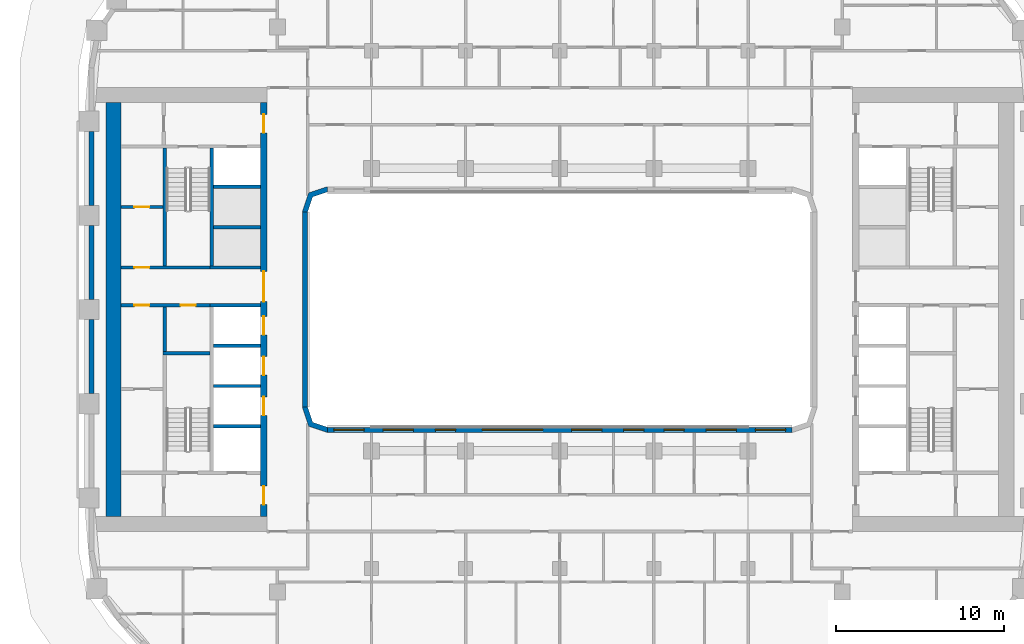
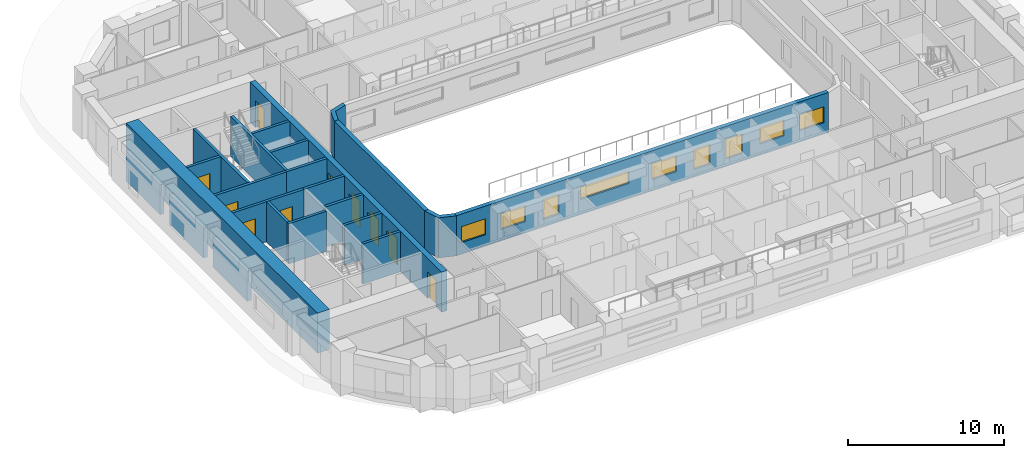
# One storey, part 5 of 18: 23 walls, 10 doors, 9 windows, 19 openings.
"""IFC4 building model written with IfcOpenShell, lengths in metres."""

from ifc_helpers import new_model, si_unit, direction, frame, frame_2d, origin, place, context, subcontext, project, spatial, polyline, rectangle, outline, extrude, material, layer, layer_set, type_object, element, fill, save


model = new_model("IFC4")

# Units and contexts
model_context = context("Model", 3, precision=1e-05, world=origin(), true_north=direction((0.0, 1.0)))
body_context = subcontext(model_context, "Body", "Model", "MODEL_VIEW")
ifc_project = project(units=[si_unit("LENGTHUNIT", "METRE"), si_unit("AREAUNIT", "SQUARE_METRE"), si_unit("VOLUMEUNIT", "CUBIC_METRE"), si_unit("PLANEANGLEUNIT", "RADIAN"), si_unit("MASSUNIT", "GRAM", prefix="KILO")], contexts=[model_context])

# Site, building, storey
site_placement = place(None, origin())
site = spatial("IfcSite", under=ifc_project, at=site_placement, CompositionType="ELEMENT")
building_placement = place(site_placement, origin())
building = spatial("IfcBuilding", under=site, at=building_placement, Name="Kiln Ring Residences", CompositionType="ELEMENT")
storey_placement = place(building_placement, frame((0.0, 0.0, 121.800048828125)))
storey = spatial("IfcBuildingStorey", under=building, at=storey_placement, Name="L31", CompositionType="ELEMENT", Elevation=121.800048828125)

# Wall
ifc_material_1 = material(Name="Gypsum board on steel studs", Category="steel")
ifc_layer_1 = layer(ifc_material_1, 0.199951171875)
ifc_layer_set_1 = layer_set([ifc_layer_1], Name="CORE-PARTITION-200")
wall_type_1 = type_object("IfcWallType", Name="CORE-PARTITION-200", PredefinedType="PARTITIONING", material=ifc_layer_set_1)
wall_1_placement = place(storey_placement, frame((-23.5, -2.5, 0.0), z_axis=(0.0, 0.0, 1.0), x_axis=(0.0, 1.0, 0.0)))
element("IfcWall", 1, at=wall_1_placement, inside=storey, type_object=wall_type_1, Name="Core partition west L31 1", PredefinedType="PARTITIONING", context=body_context, shape_type="SweptSolid", body=[
    extrude(rectangle(XDim=2.64990234375, YDim=0.199951171875, at=frame_2d((1.324951171875, 0.0))), origin(), (0.0, 0.0, 1.0), 3.14990234375),
])

# Wall, openings, doors
wall_2_placement = place(storey_placement, frame((-20.800048828125, 0.25, 0.0), z_axis=(0.0, 0.0, 1.0), x_axis=(-1.0, 0.0, 0.0)))
wall_2 = element("IfcWall", 2, at=wall_2_placement, inside=storey, type_object=wall_type_1, Name="Core partition west L31 2", PredefinedType="PARTITIONING", context=body_context, shape_type="SweptSolid", body=[
    extrude(rectangle(XDim=5.300048828125, YDim=0.199951171875, at=frame_2d((2.64990234375, 0.0))), origin(), (0.0, 0.0, 1.0), 3.14990234375),
])
opening_1_placement = place(wall_2_placement, frame((0.85009765625, 0.0, 0.0)))
opening_1 = element("IfcOpeningElement", 3, at=opening_1_placement, cuts=wall_2, Name="Opening L31-CW13", PredefinedType="OPENING", context=body_context, shape_type="SweptSolid", body=[
    extrude(rectangle(XDim=0.89990234375, YDim=2.10009765625, at=frame_2d((0.449951171875, 1.050048828125))), frame((0.0, 0.10986328125, 0.0), z_axis=(0.0, -1.0, 0.0), x_axis=(1.0, 0.0, 0.0)), (0.0, 0.0, 1.0), 0.219970703125),
])
opening_2_placement = place(wall_2_placement, frame((3.60009765625, 0.0, 0.0)))
opening_2 = element("IfcOpeningElement", 4, at=opening_2_placement, cuts=wall_2, Name="Opening L31-CW15", PredefinedType="OPENING", context=body_context, shape_type="SweptSolid", body=[
    extrude(rectangle(XDim=0.89990234375, YDim=2.10009765625, at=frame_2d((0.449951171875, 1.050048828125))), frame((0.0, 0.10986328125, 0.0), z_axis=(0.0, -1.0, 0.0), x_axis=(1.0, 0.0, 0.0)), (0.0, 0.0, 1.0), 0.219970703125),
])
ifc_material_2 = material(Name="Steel door leaf", Category="steel")
door_type_1 = type_object("IfcDoorType", Name="CORE-DOOR-ROOM", OperationType="SINGLE_SWING_LEFT", PredefinedType="DOOR", material=ifc_material_2)
door_1_placement = place(opening_1_placement, origin())
door_1 = element("IfcDoor", 5, at=door_1_placement, inside=storey, type_object=door_type_1, Name="Comms room L31-CW13", OperationType="SINGLE_SWING_LEFT", OverallHeight=2.10009765625, OverallWidth=0.89990234375, PredefinedType="DOOR", context=body_context, shape_type="SweptSolid", body=[
    extrude(rectangle(XDim=0.89990234375, YDim=2.10009765625, at=frame_2d((0.449951171875, 1.050048828125))), frame((0.0, 0.02490234375, 0.0), z_axis=(0.0, -1.0, 0.0), x_axis=(1.0, 0.0, 0.0)), (0.0, 0.0, 1.0), 0.050048828125),
])
fill(opening_1, door_1)
door_2_placement = place(opening_2_placement, origin())
door_2 = element("IfcDoor", 6, at=door_2_placement, inside=storey, type_object=door_type_1, Name="Meter room L31-CW15", OperationType="SINGLE_SWING_LEFT", OverallHeight=2.10009765625, OverallWidth=0.89990234375, PredefinedType="DOOR", context=body_context, shape_type="SweptSolid", body=[
    extrude(rectangle(XDim=0.89990234375, YDim=2.10009765625, at=frame_2d((0.449951171875, 1.050048828125))), frame((0.0, 0.02490234375, 0.0), z_axis=(0.0, -1.0, 0.0), x_axis=(1.0, 0.0, 0.0)), (0.0, 0.0, 1.0), 0.050048828125),
])
fill(opening_2, door_2)

# Wall, opening, door
wall_3_placement = place(storey_placement, frame((-23.60009765625, 6.10009765625, 0.0), z_axis=(0.0, 0.0, 1.0), x_axis=(-1.0, 0.0, 0.0)))
wall_3 = element("IfcWall", 7, at=wall_3_placement, inside=storey, type_object=wall_type_1, Name="Core partition west L31 6", PredefinedType="PARTITIONING", context=body_context, shape_type="SweptSolid", body=[
    extrude(rectangle(XDim=2.5, YDim=0.199951171875, at=frame_2d((1.25, 0.0))), origin(), (0.0, 0.0, 1.0), 3.14990234375),
])
opening_3_placement = place(wall_3_placement, frame((0.800048828125, 0.0, 0.0)))
opening_3 = element("IfcOpeningElement", 8, at=opening_3_placement, cuts=wall_3, Name="Opening L31-CW16", PredefinedType="OPENING", context=body_context, shape_type="SweptSolid", body=[
    extrude(rectangle(XDim=0.89990234375, YDim=2.10009765625, at=frame_2d((0.449951171875, 1.050048828125))), frame((0.0, 0.10986328125, 0.0), z_axis=(0.0, -1.0, 0.0), x_axis=(1.0, 0.0, 0.0)), (0.0, 0.0, 1.0), 0.219970703125),
])
door_3_placement = place(opening_3_placement, origin())
door_3 = element("IfcDoor", 9, at=door_3_placement, inside=storey, type_object=door_type_1, Name="Comms room L31-CW16", OperationType="SINGLE_SWING_LEFT", OverallHeight=2.10009765625, OverallWidth=0.89990234375, PredefinedType="DOOR", context=body_context, shape_type="SweptSolid", body=[
    extrude(rectangle(XDim=0.89990234375, YDim=2.10009765625, at=frame_2d((0.449951171875, 1.050048828125))), frame((0.0, 0.02490234375, 0.0), z_axis=(0.0, -1.0, 0.0), x_axis=(1.0, 0.0, 0.0)), (0.0, 0.0, 1.0), 0.050048828125),
])
fill(opening_3, door_3)

# Walls
ifc_material_3 = material(Name="Gypsum shaft wall system")
ifc_layer_2 = layer(ifc_material_3, 0.199951171875)
ifc_layer_set_2 = layer_set([ifc_layer_2], Name="CORE-SHAFT-WALL-200")
wall_type_2 = type_object("IfcWallType", Name="CORE-SHAFT-WALL-200", PredefinedType="PARTITIONING", material=ifc_layer_set_2)
for number, where, z_axis, x_axis, name in (
    (10, (-17.800048828125, -6.949951171875, 0.0), (0.0, 0.0, 1.0), (-1.0, 0.0, 0.0), "Core partition west L31 7"),
    (11, (-17.800048828125, -4.550048828125, 0.0), (0.0, 0.0, 1.0), (-1.0, 0.0, 0.0), "Core partition west L31 8"),
    (12, (-17.800048828125, -2.14990234375, 0.0), (0.0, 0.0, 1.0), (-1.0, 0.0, 0.0), "Core partition west L31 9"),
):
    element("IfcWall", number, at=place(storey_placement, frame(where, z_axis=z_axis, x_axis=x_axis)), inside=storey, type_object=wall_type_2, Name=name, PredefinedType="PARTITIONING", context=body_context, shape_type="SweptSolid", body=[
        extrude(rectangle(XDim=2.800048828125, YDim=0.199951171875, at=frame_2d((1.39990234375, 0.0))), origin(), (0.0, 0.0, 1.0), 3.14990234375),
    ])
for number, where, z_axis, x_axis, name in (
    (13, (-17.800048828125, 0.25, 0.0), (0.0, 0.0, 1.0), (-1.0, 0.0, 0.0), "Core partition west L31 10"),
    (14, (-17.800048828125, 2.5, 0.0), (0.0, 0.0, 1.0), (-1.0, 0.0, 0.0), "Core partition west L31 11"),
):
    element("IfcWall", number, at=place(storey_placement, frame(where, z_axis=z_axis, x_axis=x_axis)), inside=storey, type_object=wall_type_2, Name=name, PredefinedType="PARTITIONING", context=body_context, shape_type="SweptSolid", body=[
        extrude(rectangle(XDim=3.0, YDim=0.199951171875, at=frame_2d((1.5, 0.0))), origin(), (0.0, 0.0, 1.0), 3.14990234375),
    ])
for number, where, z_axis, x_axis, name in (
    (15, (-17.800048828125, 4.89990234375, 0.0), (0.0, 0.0, 1.0), (-1.0, 0.0, 0.0), "Core partition west L31 12"),
    (16, (-17.800048828125, 7.300048828125, 0.0), (0.0, 0.0, 1.0), (-1.0, 0.0, 0.0), "Core partition west L31 13"),
):
    element("IfcWall", number, at=place(storey_placement, frame(where, z_axis=z_axis, x_axis=x_axis)), inside=storey, type_object=wall_type_2, Name=name, PredefinedType="PARTITIONING", context=body_context, shape_type="SweptSolid", body=[
        extrude(rectangle(XDim=2.800048828125, YDim=0.199951171875, at=frame_2d((1.39990234375, 0.0))), origin(), (0.0, 0.0, 1.0), 3.14990234375),
    ])
ifc_material_4 = material(Name="Concrete C40/50", Category="concrete")
ifc_layer_3 = layer(ifc_material_4, 0.199951171875)
ifc_layer_set_3 = layer_set([ifc_layer_3], Name="CORE-WALL-RC200")
wall_type_3 = type_object("IfcWallType", Name="CORE-WALL-RC200", PredefinedType="SHEAR", material=ifc_layer_set_3)
wall_4_placement = place(storey_placement, frame((-20.699951171875, 2.60009765625, 0.0), z_axis=(0.0, 0.0, 1.0), x_axis=(0.0, 1.0, 0.0)))
element("IfcWall", 17, at=wall_4_placement, inside=storey, type_object=wall_type_3, Name="Core wall west L31 1", PredefinedType="SHEAR", context=body_context, shape_type="SweptSolid", body=[
    extrude(rectangle(XDim=7.0, YDim=0.199951171875, at=frame_2d((3.5, 0.0))), origin(), (0.0, 0.0, 1.0), 3.14990234375),
])

# Wall, opening, door
wall_5_placement = place(storey_placement, frame((-20.800048828125, 2.5, 0.0), z_axis=(0.0, 0.0, 1.0), x_axis=(-1.0, 0.0, 0.0)))
wall_5 = element("IfcWall", 18, at=wall_5_placement, inside=storey, type_object=wall_type_3, Name="Core wall west L31 3", PredefinedType="SHEAR", context=body_context, shape_type="SweptSolid", body=[
    extrude(rectangle(XDim=5.300048828125, YDim=0.199951171875, at=frame_2d((2.64990234375, 0.0))), origin(), (0.0, 0.0, 1.0), 3.14990234375),
])
opening_4_placement = place(wall_5_placement, frame((3.60009765625, 0.0, 0.0)))
opening_4 = element("IfcOpeningElement", 19, at=opening_4_placement, cuts=wall_5, Name="Opening L31-CW17", PredefinedType="OPENING", context=body_context, shape_type="SweptSolid", body=[
    extrude(rectangle(XDim=0.89990234375, YDim=2.10009765625, at=frame_2d((0.449951171875, 1.050048828125))), frame((0.0, 0.10986328125, 0.0), z_axis=(0.0, -1.0, 0.0), x_axis=(1.0, 0.0, 0.0)), (0.0, 0.0, 1.0), 0.219970703125),
])
door_4_placement = place(opening_4_placement, origin())
door_4 = element("IfcDoor", 20, at=door_4_placement, inside=storey, type_object=door_type_1, Name="Electrical plant room L31-CW17", OperationType="SINGLE_SWING_RIGHT", OverallHeight=2.10009765625, OverallWidth=0.89990234375, PredefinedType="DOOR", context=body_context, shape_type="SweptSolid", body=[
    extrude(rectangle(XDim=0.89990234375, YDim=2.10009765625, at=frame_2d((0.449951171875, 1.050048828125))), frame((0.0, 0.02490234375, 0.0), z_axis=(0.0, -1.0, 0.0), x_axis=(1.0, 0.0, 0.0)), (0.0, 0.0, 1.0), 0.050048828125),
])
fill(opening_4, door_4)

# Walls
wall_6_placement = place(storey_placement, frame((-23.5, 2.60009765625, 0.0), z_axis=(0.0, 0.0, 1.0), x_axis=(0.0, 1.0, 0.0)))
element("IfcWall", 21, at=wall_6_placement, inside=storey, type_object=wall_type_3, Name="Core wall west L31 10", PredefinedType="SHEAR", context=body_context, shape_type="SweptSolid", body=[
    extrude(rectangle(XDim=7.0, YDim=0.199951171875, at=frame_2d((3.5, 0.0))), origin(), (0.0, 0.0, 1.0), 3.14990234375),
])
wall_7_placement = place(storey_placement, frame((-20.800048828125, -2.60009765625, 0.0), z_axis=(0.0, 0.0, 1.0), x_axis=(-1.0, 0.0, 0.0)))
element("IfcWall", 22, at=wall_7_placement, inside=storey, type_object=wall_type_3, Name="Core wall west L31 12", PredefinedType="SHEAR", context=body_context, shape_type="SweptSolid", body=[
    extrude(rectangle(XDim=2.800048828125, YDim=0.199951171875, at=frame_2d((1.39990234375, 0.0))), origin(), (0.0, 0.0, 1.0), 3.14990234375),
])

# Wall, openings, doors
ifc_material_5 = material(Name="Concrete C60/75", Category="concrete")
ifc_layer_4 = layer(ifc_material_5, 0.39990234375)
ifc_layer_set_4 = layer_set([ifc_layer_4], Name="CORE-WALL-RC400")
wall_type_4 = type_object("IfcWallType", Name="CORE-WALL-RC400", PredefinedType="SHEAR", material=ifc_layer_set_4)
wall_8_placement = place(storey_placement, frame((-17.60009765625, -12.300048828125, 0.0), z_axis=(0.0, 0.0, 1.0), x_axis=(0.0, 1.0, 0.0)))
wall_8 = element("IfcWall", 23, at=wall_8_placement, inside=storey, type_object=wall_type_4, Name="Core wall west L31 6", PredefinedType="SHEAR", context=body_context, shape_type="SweptSolid", body=[
    extrude(rectangle(XDim=24.60009765625, YDim=0.39990234375, at=frame_2d((12.300048828125, 0.0))), origin(), (0.0, 0.0, 1.0), 3.14990234375),
])
opening_5_placement = place(wall_8_placement, frame((6.0, 0.0, 0.0)))
opening_5 = element("IfcOpeningElement", 24, at=opening_5_placement, cuts=wall_8, Name="Opening L31-CW02", PredefinedType="OPENING", context=body_context, shape_type="SweptSolid", body=[
    extrude(rectangle(XDim=1.10009765625, YDim=2.10009765625, at=frame_2d((0.550048828125, 1.050048828125))), frame((0.0, 0.2099609375, 0.0), z_axis=(0.0, -1.0, 0.0), x_axis=(1.0, 0.0, 0.0)), (0.0, 0.0, 1.0), 0.419921875),
])
opening_6_placement = place(wall_8_placement, frame((8.39990234375, 0.0, 0.0)))
opening_6 = element("IfcOpeningElement", 25, at=opening_6_placement, cuts=wall_8, Name="Opening L31-CW03", PredefinedType="OPENING", context=body_context, shape_type="SweptSolid", body=[
    extrude(rectangle(XDim=1.10009765625, YDim=2.10009765625, at=frame_2d((0.550048828125, 1.050048828125))), frame((0.0, 0.2099609375, 0.0), z_axis=(0.0, -1.0, 0.0), x_axis=(1.0, 0.0, 0.0)), (0.0, 0.0, 1.0), 0.419921875),
])
opening_7_placement = place(wall_8_placement, frame((10.800048828125, 0.0, 0.0)))
opening_7 = element("IfcOpeningElement", 26, at=opening_7_placement, cuts=wall_8, Name="Opening L31-CW04", PredefinedType="OPENING", context=body_context, shape_type="SweptSolid", body=[
    extrude(rectangle(XDim=1.10009765625, YDim=2.10009765625, at=frame_2d((0.550048828125, 1.050048828125))), frame((0.0, 0.2099609375, 0.0), z_axis=(0.0, -1.0, 0.0), x_axis=(1.0, 0.0, 0.0)), (0.0, 0.0, 1.0), 0.419921875),
])
opening_8_placement = place(wall_8_placement, frame((22.800048828125, 0.0, 0.0)))
opening_8 = element("IfcOpeningElement", 27, at=opening_8_placement, cuts=wall_8, Name="Opening L31-CW06", PredefinedType="OPENING", context=body_context, shape_type="SweptSolid", body=[
    extrude(rectangle(XDim=1.10009765625, YDim=2.10009765625, at=frame_2d((0.550048828125, 1.050048828125))), frame((0.0, 0.2099609375, 0.0), z_axis=(0.0, -1.0, 0.0), x_axis=(1.0, 0.0, 0.0)), (0.0, 0.0, 1.0), 0.419921875),
])
opening_9_placement = place(wall_8_placement, frame((0.699951171875, 0.0, 0.0)))
opening_9 = element("IfcOpeningElement", 28, at=opening_9_placement, cuts=wall_8, Name="Opening L31-CW07", PredefinedType="OPENING", context=body_context, shape_type="SweptSolid", body=[
    extrude(rectangle(XDim=1.10009765625, YDim=2.10009765625, at=frame_2d((0.550048828125, 1.050048828125))), frame((0.0, 0.2099609375, 0.0), z_axis=(0.0, -1.0, 0.0), x_axis=(1.0, 0.0, 0.0)), (0.0, 0.0, 1.0), 0.419921875),
])
opening_10_placement = place(wall_8_placement, frame((12.77490234375, 0.0, 0.0)))
opening_10 = element("IfcOpeningElement", 29, at=opening_10_placement, cuts=wall_8, Name="Opening L31-CW12", PredefinedType="OPENING", context=body_context, shape_type="SweptSolid", body=[
    extrude(rectangle(XDim=1.800048828125, YDim=2.10009765625, at=frame_2d((0.89990234375, 1.050048828125))), frame((0.0, 0.2099609375, 0.0), z_axis=(0.0, -1.0, 0.0), x_axis=(1.0, 0.0, 0.0)), (0.0, 0.0, 1.0), 0.419921875),
])
ifc_material_6 = material(Name="Steel door leaf", Category="steel")
door_type_2 = type_object("IfcDoorType", Name="CORE-DOOR-LD", OperationType="DOUBLE_DOOR_SLIDING", PredefinedType="DOOR", material=ifc_material_6)
door_5_placement = place(opening_5_placement, origin())
door_5 = element("IfcDoor", 30, at=door_5_placement, inside=storey, type_object=door_type_2, Name="LD W-L1 L31-CW02", OperationType="DOUBLE_DOOR_SLIDING", OverallHeight=2.10009765625, OverallWidth=1.10009765625, PredefinedType="DOOR", context=body_context, shape_type="SweptSolid", body=[
    extrude(rectangle(XDim=1.10009765625, YDim=2.10009765625, at=frame_2d((0.550048828125, 1.050048828125))), frame((0.0, 0.02490234375, 0.0), z_axis=(0.0, -1.0, 0.0), x_axis=(1.0, 0.0, 0.0)), (0.0, 0.0, 1.0), 0.050048828125),
])
fill(opening_5, door_5)
door_6_placement = place(opening_6_placement, origin())
door_6 = element("IfcDoor", 31, at=door_6_placement, inside=storey, type_object=door_type_2, Name="LD W-L2 L31-CW03", OperationType="DOUBLE_DOOR_SLIDING", OverallHeight=2.10009765625, OverallWidth=1.10009765625, PredefinedType="DOOR", context=body_context, shape_type="SweptSolid", body=[
    extrude(rectangle(XDim=1.10009765625, YDim=2.10009765625, at=frame_2d((0.550048828125, 1.050048828125))), frame((0.0, 0.02490234375, 0.0), z_axis=(0.0, -1.0, 0.0), x_axis=(1.0, 0.0, 0.0)), (0.0, 0.0, 1.0), 0.050048828125),
])
fill(opening_6, door_6)
door_7_placement = place(opening_7_placement, origin())
door_7 = element("IfcDoor", 32, at=door_7_placement, inside=storey, type_object=door_type_2, Name="LD W-L3 L31-CW04", OperationType="DOUBLE_DOOR_SLIDING", OverallHeight=2.10009765625, OverallWidth=1.10009765625, PredefinedType="DOOR", context=body_context, shape_type="SweptSolid", body=[
    extrude(rectangle(XDim=1.10009765625, YDim=2.10009765625, at=frame_2d((0.550048828125, 1.050048828125))), frame((0.0, 0.02490234375, 0.0), z_axis=(0.0, -1.0, 0.0), x_axis=(1.0, 0.0, 0.0)), (0.0, 0.0, 1.0), 0.050048828125),
])
fill(opening_7, door_7)
ifc_material_7 = material(Name="Steel door leaf", Category="steel")
door_type_3 = type_object("IfcDoorType", Name="CORE-DOOR-LOBBY", OperationType="SINGLE_SWING_LEFT", PredefinedType="DOOR", material=ifc_material_7)
door_8_placement = place(opening_8_placement, origin())
door_8 = element("IfcDoor", 33, at=door_8_placement, inside=storey, type_object=door_type_3, Name="FFL L31-CW06", OperationType="SINGLE_SWING_LEFT", OverallHeight=2.10009765625, OverallWidth=1.10009765625, PredefinedType="DOOR", context=body_context, shape_type="SweptSolid", body=[
    extrude(rectangle(XDim=1.10009765625, YDim=2.10009765625, at=frame_2d((0.550048828125, 1.050048828125))), frame((0.0, 0.02490234375, 0.0), z_axis=(0.0, -1.0, 0.0), x_axis=(1.0, 0.0, 0.0)), (0.0, 0.0, 1.0), 0.050048828125),
])
fill(opening_8, door_8)
door_9_placement = place(opening_9_placement, origin())
door_9 = element("IfcDoor", 34, at=door_9_placement, inside=storey, type_object=door_type_3, Name="SVL L31-CW07", OperationType="SINGLE_SWING_RIGHT", OverallHeight=2.10009765625, OverallWidth=1.10009765625, PredefinedType="DOOR", context=body_context, shape_type="SweptSolid", body=[
    extrude(rectangle(XDim=1.10009765625, YDim=2.10009765625, at=frame_2d((0.550048828125, 1.050048828125))), frame((0.0, 0.02490234375, 0.0), z_axis=(0.0, -1.0, 0.0), x_axis=(1.0, 0.0, 0.0)), (0.0, 0.0, 1.0), 0.050048828125),
])
fill(opening_9, door_9)
ifc_material_8 = material(Name="Steel door leaf", Category="steel")
door_type_4 = type_object("IfcDoorType", Name="CORE-DOOR-PASS", OperationType="DOUBLE_DOOR_SINGLE_SWING", PredefinedType="DOOR", material=ifc_material_8)
door_10_placement = place(opening_10_placement, origin())
door_10 = element("IfcDoor", 35, at=door_10_placement, inside=storey, type_object=door_type_4, Name="Core passage L31-CW12", OperationType="DOUBLE_DOOR_SINGLE_SWING", OverallHeight=2.10009765625, OverallWidth=1.800048828125, PredefinedType="DOOR", context=body_context, shape_type="SweptSolid", body=[
    extrude(rectangle(XDim=1.800048828125, YDim=2.10009765625, at=frame_2d((0.89990234375, 1.050048828125))), frame((0.0, 0.02490234375, 0.0), z_axis=(0.0, -1.0, 0.0), x_axis=(1.0, 0.0, 0.0)), (0.0, 0.0, 1.0), 0.050048828125),
])
fill(opening_10, door_10)

# Walls
ifc_material_9 = material(Name="Concrete C60/75", Category="concrete")
ifc_layer_5 = layer(ifc_material_9, 0.89990234375)
ifc_layer_set_5 = layer_set([ifc_layer_5], Name="CORE-WALL-RC900")
wall_type_5 = type_object("IfcWallType", Name="CORE-WALL-RC900", PredefinedType="SHEAR", material=ifc_layer_set_5)
wall_9_placement = place(storey_placement, frame((-26.550048828125, -12.300048828125, 0.0), z_axis=(0.0, 0.0, 1.0), x_axis=(0.0, 1.0, 0.0)))
element("IfcWall", 36, at=wall_9_placement, inside=storey, type_object=wall_type_5, Name="Core wall west L31 7", PredefinedType="SHEAR", context=body_context, shape_type="SweptSolid", body=[
    extrude(rectangle(XDim=24.60009765625, YDim=0.89990234375, at=frame_2d((12.300048828125, 0.0))), origin(), (0.0, 0.0, 1.0), 3.14990234375),
])
ifc_material_10 = material(Name="Brick masonry, dark clay brick", Category="masonry")
ifc_layer_6 = layer(ifc_material_10, 0.300048828125)
ifc_layer_set_6 = layer_set([ifc_layer_6], Name="EW-300 BRICK WALL")
wall_type_6 = type_object("IfcWallType", Name="EW-300 BRICK WALL", PredefinedType="SOLIDWALL", material=ifc_layer_set_6)
wall_10_placement = place(storey_placement, frame((-27.85009765625, 10.60009765625, 0.0), z_axis=(0.0, 0.0, 1.0), x_axis=(0.0, -1.0, 0.0)))
element("IfcWall", 37, at=wall_10_placement, inside=storey, type_object=wall_type_6, Name="Facade wall L31 42", PredefinedType="SOLIDWALL", context=body_context, shape_type="SweptSolid", body=[
    extrude(rectangle(XDim=4.400146484375, YDim=0.300048828125, at=frame_2d((2.2001953125, 0.0))), origin(), (0.0, 0.0, 1.0), 2.349853515625),
])
for number, where, z_axis, x_axis, name in (
    (38, (-27.85009765625, 5.0, 0.0), (0.0, 0.0, 1.0), (0.0, -1.0, 0.0), "Facade wall L31 43"),
    (39, (-27.85009765625, -0.60009765625, 0.0), (0.0, 0.0, 1.0), (0.0, -1.0, 0.0), "Facade wall L31 44"),
):
    element("IfcWall", number, at=place(storey_placement, frame(where, z_axis=z_axis, x_axis=x_axis)), inside=storey, type_object=wall_type_6, Name=name, PredefinedType="SOLIDWALL", context=body_context, shape_type="SweptSolid", body=[
        extrude(rectangle(XDim=4.39990234375, YDim=0.300048828125, at=frame_2d((2.199951171875, 0.0))), origin(), (0.0, 0.0, 1.0), 2.349853515625),
    ])
wall_11_placement = place(storey_placement, frame((-15.14990234375, -5.800048828125, 0.0), z_axis=(0.0, 0.0, 1.0), x_axis=(0.0, 1.0, 0.0)))
element("IfcWall", 40, at=wall_11_placement, inside=storey, type_object=wall_type_6, Name="Facade wall L31 49", PredefinedType="SOLIDWALL", context=body_context, shape_type="SweptSolid", body=[
    extrude(rectangle(XDim=11.60009765625, YDim=0.300048828125, at=frame_2d((5.800048828125, 0.0))), origin(), (0.0, 0.0, 1.0), 3.14990234375),
])

# Wall, openings, windows
wall_12_placement = place(storey_placement, frame((13.800048828125, -7.14990234375, 0.0), z_axis=(0.0, 0.0, 1.0), x_axis=(-1.0, 0.0, 0.0)))
wall_12 = element("IfcWall", 41, at=wall_12_placement, inside=storey, type_object=wall_type_6, Name="Facade wall L31 52", PredefinedType="SOLIDWALL", context=body_context, shape_type="SweptSolid", body=[
    extrude(rectangle(XDim=27.60009765625, YDim=0.300048828125, at=frame_2d((13.800048828125, 0.0))), origin(), (0.0, 0.0, 1.0), 3.14990234375),
])
opening_11_placement = place(wall_12_placement, frame((0.362548828125, 0.0, 0.89990234375)))
opening_11 = element("IfcOpeningElement", 42, at=opening_11_placement, cuts=wall_12, Name="Opening W2", PredefinedType="OPENING", context=body_context, shape_type="SweptSolid", body=[
    extrude(rectangle(XDim=1.800048828125, YDim=1.25, at=frame_2d((0.89990234375, 0.625))), frame((0.0, 0.159912109375, 0.0), z_axis=(0.0, -1.0, 0.0), x_axis=(1.0, 0.0, 0.0)), (0.0, 0.0, 1.0), 0.320068359375),
])
opening_12_placement = place(wall_12_placement, frame((3.300048828125, 0.0, 0.89990234375)))
opening_12 = element("IfcOpeningElement", 43, at=opening_12_placement, cuts=wall_12, Name="Opening W2", PredefinedType="OPENING", context=body_context, shape_type="SweptSolid", body=[
    extrude(rectangle(XDim=1.800048828125, YDim=1.25, at=frame_2d((0.89990234375, 0.625))), frame((0.0, 0.159912109375, 0.0), z_axis=(0.0, -1.0, 0.0), x_axis=(1.0, 0.0, 0.0)), (0.0, 0.0, 1.0), 0.320068359375),
])
opening_13_placement = place(wall_12_placement, frame((6.39990234375, 0.0, 0.60009765625)))
opening_13 = element("IfcOpeningElement", 44, at=opening_13_placement, cuts=wall_12, Name="Opening W1", PredefinedType="OPENING", context=body_context, shape_type="SweptSolid", body=[
    extrude(rectangle(XDim=1.199951171875, YDim=1.550048828125, at=frame_2d((0.60009765625, 0.77490234375))), frame((0.0, 0.159912109375, 0.0), z_axis=(0.0, -1.0, 0.0), x_axis=(1.0, 0.0, 0.0)), (0.0, 0.0, 1.0), 0.320068359375),
])
opening_14_placement = place(wall_12_placement, frame((8.800048828125, 0.0, 0.60009765625)))
opening_14 = element("IfcOpeningElement", 45, at=opening_14_placement, cuts=wall_12, Name="Opening W1", PredefinedType="OPENING", context=body_context, shape_type="SweptSolid", body=[
    extrude(rectangle(XDim=1.199951171875, YDim=1.550048828125, at=frame_2d((0.60009765625, 0.77490234375))), frame((0.0, 0.159912109375, 0.0), z_axis=(0.0, -1.0, 0.0), x_axis=(1.0, 0.0, 0.0)), (0.0, 0.0, 1.0), 0.320068359375),
])
opening_15_placement = place(wall_12_placement, frame((11.300048828125, 0.0, 0.89990234375)))
opening_15 = element("IfcOpeningElement", 46, at=opening_15_placement, cuts=wall_12, Name="Opening W2", PredefinedType="OPENING", context=body_context, shape_type="SweptSolid", body=[
    extrude(rectangle(XDim=1.800048828125, YDim=1.25, at=frame_2d((0.89990234375, 0.625))), frame((0.0, 0.159912109375, 0.0), z_axis=(0.0, -1.0, 0.0), x_axis=(1.0, 0.0, 0.0)), (0.0, 0.0, 1.0), 0.320068359375),
])
opening_16_placement = place(wall_12_placement, frame((14.800048828125, 0.0, 1.199951171875)))
opening_16 = element("IfcOpeningElement", 47, at=opening_16_placement, cuts=wall_12, Name="Opening W4", PredefinedType="OPENING", context=body_context, shape_type="SweptSolid", body=[
    extrude(rectangle(XDim=3.60009765625, YDim=0.949951171875, at=frame_2d((1.800048828125, 0.47509765625))), frame((0.0, 0.159912109375, 0.0), z_axis=(0.0, -1.0, 0.0), x_axis=(1.0, 0.0, 0.0)), (0.0, 0.0, 1.0), 0.320068359375),
])
opening_17_placement = place(wall_12_placement, frame((20.0, 0.0, 0.60009765625)))
opening_17 = element("IfcOpeningElement", 48, at=opening_17_placement, cuts=wall_12, Name="Opening W1", PredefinedType="OPENING", context=body_context, shape_type="SweptSolid", body=[
    extrude(rectangle(XDim=1.199951171875, YDim=1.550048828125, at=frame_2d((0.60009765625, 0.77490234375))), frame((0.0, 0.159912109375, 0.0), z_axis=(0.0, -1.0, 0.0), x_axis=(1.0, 0.0, 0.0)), (0.0, 0.0, 1.0), 0.320068359375),
])
opening_18_placement = place(wall_12_placement, frame((22.5, 0.0, 0.89990234375)))
opening_18 = element("IfcOpeningElement", 49, at=opening_18_placement, cuts=wall_12, Name="Opening W2", PredefinedType="OPENING", context=body_context, shape_type="SweptSolid", body=[
    extrude(rectangle(XDim=1.800048828125, YDim=1.25, at=frame_2d((0.89990234375, 0.625))), frame((0.0, 0.159912109375, 0.0), z_axis=(0.0, -1.0, 0.0), x_axis=(1.0, 0.0, 0.0)), (0.0, 0.0, 1.0), 0.320068359375),
])
opening_19_placement = place(wall_12_placement, frame((25.4375, 0.0, 0.89990234375)))
opening_19 = element("IfcOpeningElement", 50, at=opening_19_placement, cuts=wall_12, Name="Opening W2", PredefinedType="OPENING", context=body_context, shape_type="SweptSolid", body=[
    extrude(rectangle(XDim=1.800048828125, YDim=1.25, at=frame_2d((0.89990234375, 0.625))), frame((0.0, 0.159912109375, 0.0), z_axis=(0.0, -1.0, 0.0), x_axis=(1.0, 0.0, 0.0)), (0.0, 0.0, 1.0), 0.320068359375),
])
ifc_material_11 = material(Name="Aluminium frame with double glazing", Category="aluminium")
window_type_1 = type_object("IfcWindowType", Name="WINDOW 1200 x 1550", PartitioningType="SINGLE_PANEL", PredefinedType="WINDOW", material=ifc_material_11)
window_1_placement = place(opening_13_placement, origin())
window_1 = element("IfcWindow", 51, at=window_1_placement, inside=storey, type_object=window_type_1, Name="Window L31 34", OverallHeight=1.550048828125, OverallWidth=1.199951171875, PartitioningType="SINGLE_PANEL", PredefinedType="WINDOW", context=body_context, shape_type="SweptSolid", body=[
    extrude(rectangle(XDim=1.199951171875, YDim=1.550048828125, at=frame_2d((0.60009765625, 0.77490234375))), frame((0.0, 0.030029296875, 0.0), z_axis=(0.0, -1.0, 0.0), x_axis=(1.0, 0.0, 0.0)), (0.0, 0.0, 1.0), 0.06005859375),
])
fill(opening_13, window_1)
window_2_placement = place(opening_14_placement, origin())
window_2 = element("IfcWindow", 52, at=window_2_placement, inside=storey, type_object=window_type_1, Name="Window L31 35", OverallHeight=1.550048828125, OverallWidth=1.199951171875, PartitioningType="SINGLE_PANEL", PredefinedType="WINDOW", context=body_context, shape_type="SweptSolid", body=[
    extrude(rectangle(XDim=1.199951171875, YDim=1.550048828125, at=frame_2d((0.60009765625, 0.77490234375))), frame((0.0, 0.030029296875, 0.0), z_axis=(0.0, -1.0, 0.0), x_axis=(1.0, 0.0, 0.0)), (0.0, 0.0, 1.0), 0.06005859375),
])
fill(opening_14, window_2)
window_3_placement = place(opening_17_placement, origin())
window_3 = element("IfcWindow", 53, at=window_3_placement, inside=storey, type_object=window_type_1, Name="Window L31 38", OverallHeight=1.550048828125, OverallWidth=1.199951171875, PartitioningType="SINGLE_PANEL", PredefinedType="WINDOW", context=body_context, shape_type="SweptSolid", body=[
    extrude(rectangle(XDim=1.199951171875, YDim=1.550048828125, at=frame_2d((0.60009765625, 0.77490234375))), frame((0.0, 0.030029296875, 0.0), z_axis=(0.0, -1.0, 0.0), x_axis=(1.0, 0.0, 0.0)), (0.0, 0.0, 1.0), 0.06005859375),
])
fill(opening_17, window_3)
ifc_material_12 = material(Name="Aluminium frame with double glazing", Category="aluminium")
window_type_2 = type_object("IfcWindowType", Name="WINDOW 1800 x 1250", PartitioningType="SINGLE_PANEL", PredefinedType="WINDOW", material=ifc_material_12)
window_4_placement = place(opening_11_placement, origin())
window_4 = element("IfcWindow", 54, at=window_4_placement, inside=storey, type_object=window_type_2, Name="Window L31 32", OverallHeight=1.25, OverallWidth=1.800048828125, PartitioningType="SINGLE_PANEL", PredefinedType="WINDOW", context=body_context, shape_type="SweptSolid", body=[
    extrude(rectangle(XDim=1.800048828125, YDim=1.25, at=frame_2d((0.89990234375, 0.625))), frame((0.0, 0.030029296875, 0.0), z_axis=(0.0, -1.0, 0.0), x_axis=(1.0, 0.0, 0.0)), (0.0, 0.0, 1.0), 0.06005859375),
])
fill(opening_11, window_4)
window_5_placement = place(opening_12_placement, origin())
window_5 = element("IfcWindow", 55, at=window_5_placement, inside=storey, type_object=window_type_2, Name="Window L31 33", OverallHeight=1.25, OverallWidth=1.800048828125, PartitioningType="SINGLE_PANEL", PredefinedType="WINDOW", context=body_context, shape_type="SweptSolid", body=[
    extrude(rectangle(XDim=1.800048828125, YDim=1.25, at=frame_2d((0.89990234375, 0.625))), frame((0.0, 0.030029296875, 0.0), z_axis=(0.0, -1.0, 0.0), x_axis=(1.0, 0.0, 0.0)), (0.0, 0.0, 1.0), 0.06005859375),
])
fill(opening_12, window_5)
window_6_placement = place(opening_15_placement, origin())
window_6 = element("IfcWindow", 56, at=window_6_placement, inside=storey, type_object=window_type_2, Name="Window L31 36", OverallHeight=1.25, OverallWidth=1.800048828125, PartitioningType="SINGLE_PANEL", PredefinedType="WINDOW", context=body_context, shape_type="SweptSolid", body=[
    extrude(rectangle(XDim=1.800048828125, YDim=1.25, at=frame_2d((0.89990234375, 0.625))), frame((0.0, 0.030029296875, 0.0), z_axis=(0.0, -1.0, 0.0), x_axis=(1.0, 0.0, 0.0)), (0.0, 0.0, 1.0), 0.06005859375),
])
fill(opening_15, window_6)
window_7_placement = place(opening_18_placement, origin())
window_7 = element("IfcWindow", 57, at=window_7_placement, inside=storey, type_object=window_type_2, Name="Window L31 39", OverallHeight=1.25, OverallWidth=1.800048828125, PartitioningType="SINGLE_PANEL", PredefinedType="WINDOW", context=body_context, shape_type="SweptSolid", body=[
    extrude(rectangle(XDim=1.800048828125, YDim=1.25, at=frame_2d((0.89990234375, 0.625))), frame((0.0, 0.030029296875, 0.0), z_axis=(0.0, -1.0, 0.0), x_axis=(1.0, 0.0, 0.0)), (0.0, 0.0, 1.0), 0.06005859375),
])
fill(opening_18, window_7)
window_8_placement = place(opening_19_placement, origin())
window_8 = element("IfcWindow", 58, at=window_8_placement, inside=storey, type_object=window_type_2, Name="Window L31 40", OverallHeight=1.25, OverallWidth=1.800048828125, PartitioningType="SINGLE_PANEL", PredefinedType="WINDOW", context=body_context, shape_type="SweptSolid", body=[
    extrude(rectangle(XDim=1.800048828125, YDim=1.25, at=frame_2d((0.89990234375, 0.625))), frame((0.0, 0.030029296875, 0.0), z_axis=(0.0, -1.0, 0.0), x_axis=(1.0, 0.0, 0.0)), (0.0, 0.0, 1.0), 0.06005859375),
])
fill(opening_19, window_8)
ifc_material_13 = material(Name="Aluminium frame with double glazing", Category="aluminium")
window_type_3 = type_object("IfcWindowType", Name="WINDOW 3600 x 950", PartitioningType="SINGLE_PANEL", PredefinedType="WINDOW", material=ifc_material_13)
window_9_placement = place(opening_16_placement, origin())
window_9 = element("IfcWindow", 59, at=window_9_placement, inside=storey, type_object=window_type_3, Name="Window L31 37", OverallHeight=0.949951171875, OverallWidth=3.60009765625, PartitioningType="SINGLE_PANEL", PredefinedType="WINDOW", context=body_context, shape_type="SweptSolid", body=[
    extrude(rectangle(XDim=3.60009765625, YDim=0.949951171875, at=frame_2d((1.800048828125, 0.47509765625))), frame((0.0, 0.030029296875, 0.0), z_axis=(0.0, -1.0, 0.0), x_axis=(1.0, 0.0, 0.0)), (0.0, 0.0, 1.0), 0.06005859375),
])
fill(opening_16, window_9)

# Walls
placement = place(storey_placement, origin())
element("IfcWall", 60, at=placement, inside=storey, type_object=wall_type_6, Name="Corner wall L31 1", PredefinedType="SOLIDWALL", context=body_context, shape_type="SweptSolid", body=[
    extrude(outline(polyline([(-13.8486328125, 7.300048828125), (-14.937255859375, 6.937255859375), (-15.300048828125, 5.8486328125), (-15.300048828125, 5.800048828125), (-15.0, 5.800048828125), (-14.699951171875, 6.699951171875), (-13.800048828125, 7.0), (-13.800048828125, 7.300048828125), (-13.8486328125, 7.300048828125)])), origin(), (0.0, 0.0, 1.0), 3.14990234375),
])
element("IfcWall", 61, at=placement, inside=storey, type_object=wall_type_6, Name="Corner wall L31 4", PredefinedType="SOLIDWALL", context=body_context, shape_type="SweptSolid", body=[
    extrude(outline(polyline([(-14.937255859375, -6.937255859375), (-13.8486328125, -7.300048828125), (-13.800048828125, -7.300048828125), (-13.800048828125, -7.0), (-14.699951171875, -6.699951171875), (-15.0, -5.800048828125), (-15.300048828125, -5.800048828125), (-15.300048828125, -5.8486328125), (-14.937255859375, -6.937255859375)])), origin(), (0.0, 0.0, 1.0), 3.14990234375),
])

save(model, "model.ifc")
